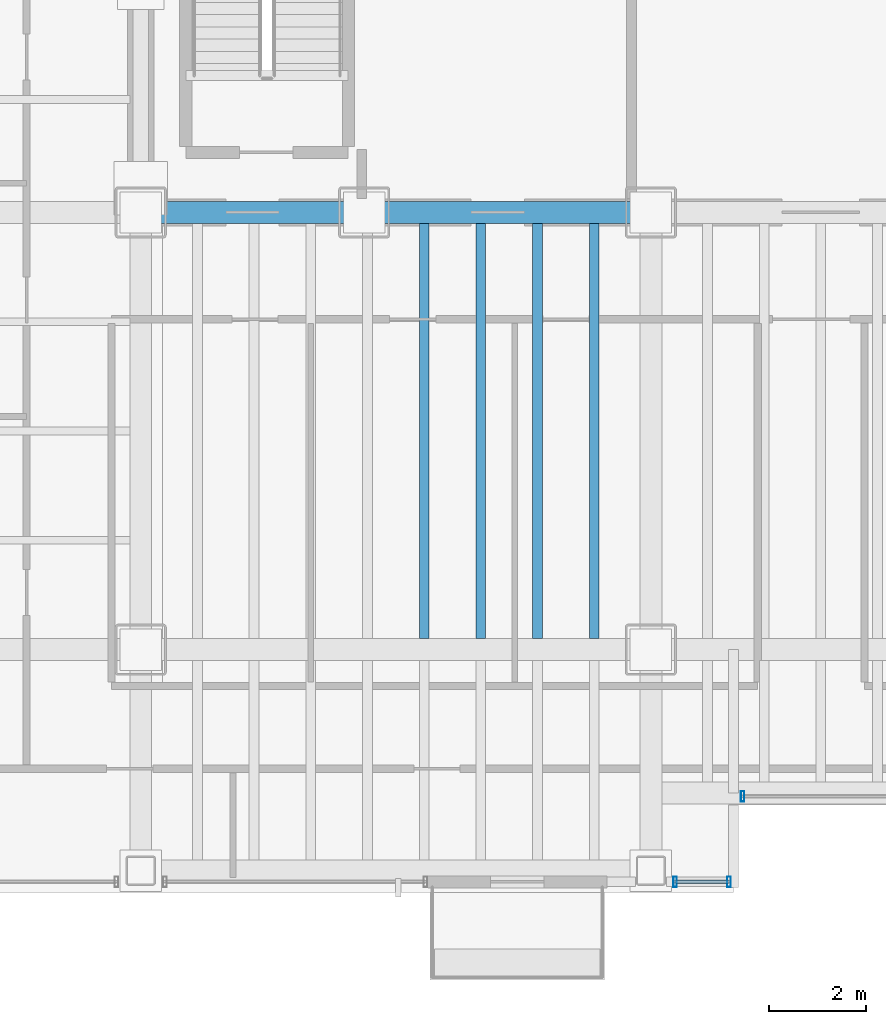
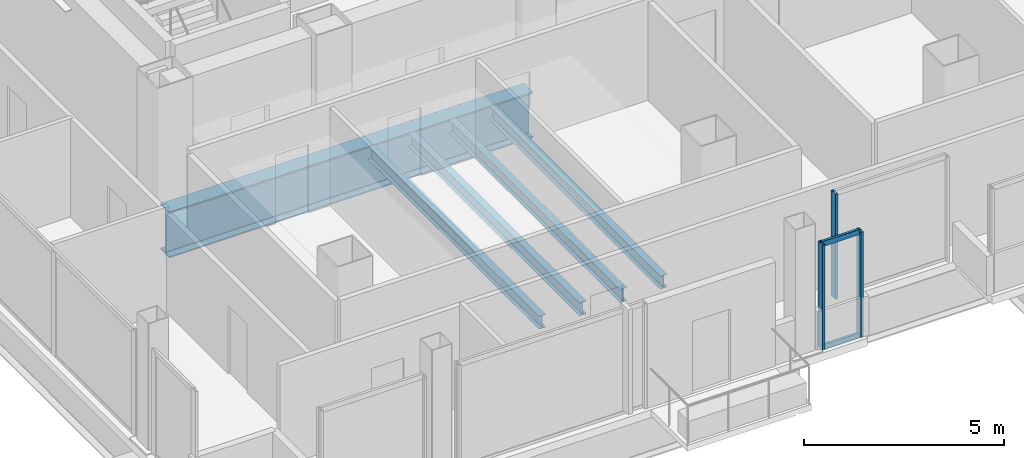
# One storey, part 5 of 23: 5 beams, 5 members, 2 elements without a shape of their own.
"""IFC4 building model written with IfcOpenShell, lengths in metres."""

import ifcopenshell
import ifcopenshell.guid

model = None  # the IFC model being written
_history = None  # IfcOwnerHistory: only IFC2X3 demands one
_inside = {}  # id of a spatial element -> (the spatial element, [elements in it])
_under = {}  # id of a project, library or spatial element -> (it, [spatial elements below it])
_declared = {}  # id of a project -> (the project, [libraries it declares])
_typed = {}  # id of a type object -> (the type object, [elements of that type])
_made_of = {}  # id of a material, layer set ... -> (it, [elements and type objects made of it])


def new_model(schema):
    """Start an empty IFC model of exactly this schema.

    Asked for "IFC4X3", IfcOpenShell would pick the latest addendum, in which some entities
    have other attributes; the version numbers below select the first issue.
    IFC2X3 requires an IfcOwnerHistory on every rooted entity: one is made here for all.
    """
    global model, _history
    if schema == "IFC4X3":
        model = ifcopenshell.file(schema_version=(4, 3, 0, 0))
    else:
        model = ifcopenshell.file(schema=schema)
    _inside.clear()
    _under.clear()
    _declared.clear()
    _typed.clear()
    _made_of.clear()
    _history = None
    if model.schema == "IFC2X3":
        org = make("IfcOrganization", Name="unknown")
        user = make(
            "IfcPersonAndOrganization",
            ThePerson=make("IfcPerson", FamilyName="unknown"),
            TheOrganization=org,
        )
        app = make(
            "IfcApplication",
            ApplicationDeveloper=org,
            Version="unknown",
            ApplicationFullName="unknown",
            ApplicationIdentifier="unknown",
        )
        _history = make(
            "IfcOwnerHistory",
            OwningUser=user,
            OwningApplication=app,
            ChangeAction="ADDED",
            CreationDate=0,
        )
    return model


def make(cls, **values):
    """One entity of the class cls with the attributes given. An attribute that is None is left unset."""
    return model.create_entity(
        cls, **{name: value for name, value in values.items() if value is not None}
    )


def rooted(cls, **values):
    """An entity with a GlobalId (a new one), such as an element, a storey or a relation."""
    return make(cls, GlobalId=ifcopenshell.guid.new(), OwnerHistory=_history, **values)


def si_unit(unit_type, name, prefix=None):
    """IfcSIUnit, for example si_unit("LENGTHUNIT", "METRE", prefix="MILLI")."""
    return make("IfcSIUnit", UnitType=unit_type, Prefix=prefix, Name=name)


def assignment(units):
    """IfcUnitAssignment: the units of a project."""
    return None if units is None else make("IfcUnitAssignment", Units=units)


def point(xyz):
    """IfcCartesianPoint."""
    return None if xyz is None else make("IfcCartesianPoint", Coordinates=xyz)


def direction(xyz):
    """IfcDirection."""
    return None if xyz is None else make("IfcDirection", DirectionRatios=xyz)


def frame(location, z_axis=None, x_axis=None):
    """IfcAxis2Placement3D, a coordinate frame: its origin and axes. An axis left out is left unset."""
    return make(
        "IfcAxis2Placement3D",
        Location=point(location),
        Axis=direction(z_axis),
        RefDirection=direction(x_axis),
    )


def frame_2d(location, x_axis=None):
    """IfcAxis2Placement2D, a coordinate frame in the plane: its origin and x axis."""
    return make(
        "IfcAxis2Placement2D", Location=point(location), RefDirection=direction(x_axis)
    )


def origin():
    """The frame at (0, 0, 0) with its axes left unset."""
    return frame((0.0, 0.0, 0.0))


def origin_2d():
    """The frame at (0, 0) in the plane with its x axis left unset."""
    return frame_2d((0.0, 0.0))


def place(relative_to, where):
    """IfcLocalPlacement: puts the frame where relative to a parent placement (None: the world)."""
    return make(
        "IfcLocalPlacement", PlacementRelTo=relative_to, RelativePlacement=where
    )


def context(
    kind, dimensions, precision=None, world=None, true_north=None, identifier=None
):
    """IfcGeometricRepresentationContext, for example the 3D "Model" context."""
    return make(
        "IfcGeometricRepresentationContext",
        ContextIdentifier=identifier,
        ContextType=kind,
        CoordinateSpaceDimension=dimensions,
        Precision=precision,
        WorldCoordinateSystem=world,
        TrueNorth=true_north,
    )


def subcontext(parent, identifier, kind, view, scale=None):
    """IfcGeometricRepresentationSubContext, for example "Body" below "Model"."""
    return make(
        "IfcGeometricRepresentationSubContext",
        ContextIdentifier=identifier,
        ContextType=kind,
        ParentContext=parent,
        TargetScale=scale,
        TargetView=view,
    )


def project(units=None, contexts=None):
    """IfcProject with its units and contexts."""
    return rooted(
        "IfcProject",
        Name="project",
        RepresentationContexts=contexts,
        UnitsInContext=assignment(units),
    )


def spatial(cls, under=None, at=None, **own):
    """A site, building, storey or space (cls), placed at a placement, below another one or the project."""
    s = rooted(cls, ObjectPlacement=at, **own)
    if under is not None:
        _under.setdefault(under.id(), (under, []))[1].append(s)
    return s


def profile(cls, at=None, kind="AREA", **sizes):
    """A parametric profile (cls). Its sizes go by their IFC names, for example OverallWidth=200.0."""
    return make(cls, ProfileType=kind, Position=at, **sizes)


def hollow_rectangle(**sizes):
    """IfcRectangleHollowProfileDef."""
    return profile("IfcRectangleHollowProfileDef", **sizes)


def i_section(**sizes):
    """IfcIShapeProfileDef."""
    return profile("IfcIShapeProfileDef", **sizes)


def extrude(swept, where, along, depth):
    """IfcExtrudedAreaSolid: the profile swept, set in the frame where, extruded along a direction by depth."""
    return make(
        "IfcExtrudedAreaSolid",
        SweptArea=swept,
        Position=where,
        ExtrudedDirection=direction(along),
        Depth=depth,
    )


def shape(context_of_items, identifier, shape_type, items):
    """IfcShapeRepresentation: the items that make up one representation, for example the "Body"."""
    return make(
        "IfcShapeRepresentation",
        ContextOfItems=context_of_items,
        RepresentationIdentifier=identifier,
        RepresentationType=shape_type,
        Items=items,
    )


def material(Name=None, Category=None):
    """IfcMaterial."""
    return make("IfcMaterial", Name=Name, Category=Category)


def material_profile(
    of_material, cross_section, Name=None, Category=None, Priority=None
):
    """IfcMaterialProfile: a cross section and its material."""
    return make(
        "IfcMaterialProfile",
        Name=Name,
        Material=of_material,
        Profile=cross_section,
        Priority=Priority,
        Category=Category,
    )


def profile_set(profiles, Name=None, composite=None):
    """IfcMaterialProfileSet."""
    return make(
        "IfcMaterialProfileSet",
        Name=Name,
        MaterialProfiles=profiles,
        CompositeProfile=composite,
    )


def made_of(thing, what):
    """Note that an element or type object is made of a material, layer set ...; save() writes the relation."""
    if what is not None:
        _made_of.setdefault(what.id(), (what, []))[1].append(thing)
    return thing


def type_object(cls, material=None, **own):
    """A type object (cls), such as IfcWallType, which elements share."""
    return made_of(rooted(cls, **own), material)


def element(
    cls,
    number,
    at=None,
    inside=None,
    cuts=None,
    type_object=None,
    material=None,
    context=None,
    identifier="Body",
    shape_type=None,
    held_by="IfcProductDefinitionShape",
    body=None,
    shapes=None,
    **own,
):
    """One element of the class cls, such as IfcWall. Its Tag is "e" and its number.

    at: its placement. inside: the storey or other place that contains it. cuts: it is an
    opening in that element (IfcRelVoidsElement). A single representation is given by context,
    identifier, shape_type and body (its items); several are given by shapes. held_by: the class
    of the entity that holds the representations. save() writes the other relations.
    """
    e = rooted(cls, Tag="e%d" % number, ObjectPlacement=at, **own)
    if body is not None:
        shapes = [shape(context, identifier, shape_type, body)]
    if shapes is not None:
        e.Representation = make(held_by, Representations=shapes)
    if inside is not None:
        _inside.setdefault(inside.id(), (inside, []))[1].append(e)
    if cuts is not None:
        rooted(
            "IfcRelVoidsElement", RelatingBuildingElement=cuts, RelatedOpeningElement=e
        )
    if type_object is not None:
        _typed.setdefault(type_object.id(), (type_object, []))[1].append(e)
    return made_of(e, material)


def aggregate(whole, parts):
    """IfcRelAggregates: a whole, such as a stair, and the parts it consists of."""
    return rooted("IfcRelAggregates", RelatingObject=whole, RelatedObjects=parts)


def save(model, path):
    """Write the relations noted so far, then the file.

    IfcRelAggregates (storeys below a building ...), IfcRelContainedInSpatialStructure (elements
    in a storey), IfcRelDefinesByType, IfcRelAssociatesMaterial and IfcRelDeclares: one each for
    every whole, place, type object, material and project.
    """
    for whole, parts in _under.values():
        aggregate(whole, parts)
    for where, things in _inside.values():
        rooted(
            "IfcRelContainedInSpatialStructure",
            RelatedElements=things,
            RelatingStructure=where,
        )
    for kind, things in _typed.values():
        rooted("IfcRelDefinesByType", RelatedObjects=things, RelatingType=kind)
    for what, things in _made_of.values():
        rooted("IfcRelAssociatesMaterial", RelatedObjects=things, RelatingMaterial=what)
    for by, libraries in _declared.values():
        rooted("IfcRelDeclares", RelatingContext=by, RelatedDefinitions=libraries)
    model.write(path)


model = new_model("IFC4")

# Units and contexts
model_context = context("Model", 3, precision=1e-05, world=origin(), true_north=direction((0.0, 1.0)))
body_context = subcontext(model_context, "Body", "Model", "MODEL_VIEW")
ifc_project = project(units=[si_unit("LENGTHUNIT", "METRE"), si_unit("AREAUNIT", "SQUARE_METRE"), si_unit("VOLUMEUNIT", "CUBIC_METRE"), si_unit("PLANEANGLEUNIT", "RADIAN"), si_unit("MASSUNIT", "GRAM", prefix="KILO")], contexts=[model_context])

# Site, building, storey
site_placement = place(None, origin())
site = spatial("IfcSite", under=ifc_project, at=site_placement, CompositionType="ELEMENT")
building_placement = place(site_placement, origin())
building = spatial("IfcBuilding", under=site, at=building_placement, Name="Noeulbin Bourse Tower", CompositionType="ELEMENT")
storey_placement = place(building_placement, frame((0.0, 0.0, 53.800048828125)))
storey = spatial("IfcBuildingStorey", under=building, at=storey_placement, Name="L13", CompositionType="ELEMENT", Elevation=53.800048828125)

# Beams
ifc_material_1 = material(Name="Steel S355", Category="steel")
ifc_material_profile_1 = material_profile(ifc_material_1, i_section(OverallWidth=0.199951171875, OverallDepth=0.39990234375, WebThickness=0.008056640625, FlangeThickness=0.012939453125, FilletRadius=0.01611328125, at=origin_2d()), Name="H-400x200x8x13", Category="LoadBearing")
ifc_profile_set_1 = profile_set([ifc_material_profile_1], Name="Steel S355")
beam_type_1 = type_object("IfcBeamType", Name="BM-SEC-400", PredefinedType="BEAM", material=ifc_profile_set_1)
for number, where, z_axis, x_axis, name in (
    (1, (19.333251953125, 20.22509765625, -0.43994140625), (0.0, 1.0, 0.0), (-1.0, 0.0, 0.0), "Tower Composite Joist L13-14"),
    (2, (20.5, 20.22509765625, -0.43994140625), (0.0, 1.0, 0.0), (-1.0, 0.0, 0.0), "Tower Composite Joist L13-17"),
    (3, (21.666748046875, 20.22509765625, -0.43994140625), (0.0, 1.0, 0.0), (-1.0, 0.0, 0.0), "Tower Composite Joist L13-20"),
    (4, (22.833251953125, 20.22509765625, -0.43994140625), (0.0, 1.0, 0.0), (-1.0, 0.0, 0.0), "Tower Composite Joist L13-23"),
):
    element("IfcBeam", number, at=place(storey_placement, frame(where, z_axis=z_axis, x_axis=x_axis)), inside=storey, type_object=beam_type_1, Name=name, PredefinedType="BEAM", context=body_context, shape_type="SweptSolid", body=[
        extrude(i_section(OverallWidth=0.199951171875, OverallDepth=0.39990234375, WebThickness=0.008056640625, FlangeThickness=0.012939453125, FilletRadius=0.01611328125, at=origin_2d()), origin(), (0.0, 0.0, 1.0), 8.5498046875),
    ])
ifc_material_2 = material(Name="Steel S460", Category="steel")
ifc_material_profile_2 = material_profile(ifc_material_2, i_section(OverallWidth=0.449951171875, OverallDepth=1.39990234375, WebThickness=0.02392578125, FlangeThickness=0.0400390625, FilletRadius=0.02392578125, at=origin_2d()), Name="PG-1400x450x24x40", Category="LoadBearing")
ifc_profile_set_2 = profile_set([ifc_material_profile_2], Name="Steel S460")
beam_type_2 = type_object("IfcBeamType", Name="BM-TRF-1400", PredefinedType="USERDEFINED", material=ifc_profile_set_2)
beam_placement = place(storey_placement, frame((13.5, 29.0, -0.93994140625), z_axis=(1.0, 0.0, 0.0), x_axis=(0.0, 1.0, 0.0)))
element("IfcBeam", 5, at=beam_placement, inside=storey, type_object=beam_type_2, Name="Tower Primary Girder EW L13-2.2", ObjectType="GIRDER", PredefinedType="USERDEFINED", context=body_context, shape_type="SweptSolid", body=[
    extrude(i_section(OverallWidth=0.449951171875, OverallDepth=1.39990234375, WebThickness=0.02392578125, FlangeThickness=0.0400390625, FilletRadius=0.02392578125, at=origin_2d()), origin(), (0.0, 0.0, 1.0), 10.5),
])

# Curtain wall, member
ifc_material_3 = material(Name="Dark Solar-Control Double Glazing", Category="glass")
curtain_wall_type = type_object("IfcCurtainWallType", Name="CW-SYS-2", PredefinedType="NOTDEFINED", material=ifc_material_3)
curtain_wall_1_placement = place(storey_placement, origin())
curtain_wall_1 = element("IfcCurtainWall", 6, at=curtain_wall_1_placement, inside=storey, type_object=curtain_wall_type, Name="Unitised Curtain Wall CW-L13-SREC", PredefinedType="NOTDEFINED")
ifc_material_4 = material(Name="Anodised Aluminium 6063-T6", Category="aluminium")
ifc_material_profile_3 = material_profile(ifc_material_4, hollow_rectangle(XDim=0.074951171875, YDim=0.219970703125, WallThickness=0.0048828125, InnerFilletRadius=0.00244140625, OuterFilletRadius=0.0048828125, at=origin_2d()), Name="ALU-MULL-75x220x5", Category="LoadBearing")
ifc_profile_set_3 = profile_set([ifc_material_profile_3], Name="Anodised Aluminium 6063-T6")
member_type_1 = type_object("IfcMemberType", Name="CW-SYS-2-MUL", PredefinedType="MULLION", material=ifc_profile_set_3)
member_1_placement = place(storey_placement, frame((25.889892578125, 16.97998046875, -0.02001953125), z_axis=(0.0, 0.0, 1.0), x_axis=(1.0, 0.0, 0.0)))
member_1 = element("IfcMember", 7, at=member_1_placement, type_object=member_type_1, Name="Curtain Wall Mullion CW-L13-SREC-M00", PredefinedType="MULLION", context=body_context, shape_type="SweptSolid", body=[
    extrude(hollow_rectangle(XDim=0.074951171875, YDim=0.219970703125, WallThickness=0.0048828125, InnerFilletRadius=0.00244140625, OuterFilletRadius=0.0048828125, at=origin_2d()), origin(), (0.0, 0.0, 1.0), 3.219970703125),
])
aggregate(curtain_wall_1, [member_1])

# Curtain wall, members
curtain_wall_2_placement = place(storey_placement, origin())
curtain_wall_2 = element("IfcCurtainWall", 8, at=curtain_wall_2_placement, inside=storey, type_object=curtain_wall_type, Name="Unitised Curtain Wall CW-L13-S2", PredefinedType="NOTDEFINED")
member_2_placement = place(storey_placement, frame((24.5, 15.219970703125, -0.02001953125), z_axis=(0.0, 0.0, 1.0), x_axis=(1.0, 0.0, 0.0)))
member_2 = element("IfcMember", 9, at=member_2_placement, type_object=member_type_1, Name="Curtain Wall Mullion CW-L13-S2-M00", PredefinedType="MULLION", context=body_context, shape_type="SweptSolid", body=[
    extrude(hollow_rectangle(XDim=0.074951171875, YDim=0.219970703125, WallThickness=0.0048828125, InnerFilletRadius=0.00244140625, OuterFilletRadius=0.0048828125, at=origin_2d()), origin(), (0.0, 0.0, 1.0), 3.219970703125),
])
member_3_placement = place(storey_placement, frame((25.610107421875, 15.219970703125, -0.02001953125), z_axis=(0.0, 0.0, 1.0), x_axis=(1.0, 0.0, 0.0)))
member_3 = element("IfcMember", 10, at=member_3_placement, type_object=member_type_1, Name="Curtain Wall Mullion CW-L13-S2-M01", PredefinedType="MULLION", context=body_context, shape_type="SweptSolid", body=[
    extrude(hollow_rectangle(XDim=0.074951171875, YDim=0.219970703125, WallThickness=0.0048828125, InnerFilletRadius=0.00244140625, OuterFilletRadius=0.0048828125, at=origin_2d()), origin(), (0.0, 0.0, 1.0), 3.219970703125),
])
ifc_material_profile_4 = material_profile(ifc_material_4, hollow_rectangle(XDim=0.074951171875, YDim=0.159912109375, WallThickness=0.0048828125, InnerFilletRadius=0.00244140625, OuterFilletRadius=0.0048828125, at=origin_2d()), Name="ALU-TRAN-75x160x5", Category="LoadBearing")
ifc_profile_set_4 = profile_set([ifc_material_profile_4], Name="Anodised Aluminium 6063-T6")
member_type_2 = type_object("IfcMemberType", Name="CW-SYS-2-TRN", PredefinedType="USERDEFINED", material=ifc_profile_set_4)
member_4_placement = place(storey_placement, frame((24.510009765625, 15.219970703125, 0.010009765625), z_axis=(1.0, 0.0, 0.0), x_axis=(0.0, 1.0, 0.0)))
member_4 = element("IfcMember", 11, at=member_4_placement, type_object=member_type_2, Name="Curtain Wall Transom CW-L13-S2-T00", ObjectType="TRANSOM", PredefinedType="USERDEFINED", context=body_context, shape_type="SweptSolid", body=[
    extrude(hollow_rectangle(XDim=0.074951171875, YDim=0.159912109375, WallThickness=0.0048828125, InnerFilletRadius=0.00244140625, OuterFilletRadius=0.0048828125, at=origin_2d()), origin(), (0.0, 0.0, 1.0), 1.090087890625),
])
member_5_placement = place(storey_placement, frame((24.510009765625, 15.219970703125, 3.169921875), z_axis=(1.0, 0.0, 0.0), x_axis=(0.0, 1.0, 0.0)))
member_5 = element("IfcMember", 12, at=member_5_placement, type_object=member_type_2, Name="Curtain Wall Transom CW-L13-S2-T01", ObjectType="TRANSOM", PredefinedType="USERDEFINED", context=body_context, shape_type="SweptSolid", body=[
    extrude(hollow_rectangle(XDim=0.074951171875, YDim=0.159912109375, WallThickness=0.0048828125, InnerFilletRadius=0.00244140625, OuterFilletRadius=0.0048828125, at=origin_2d()), origin(), (0.0, 0.0, 1.0), 1.090087890625),
])
aggregate(curtain_wall_2, [member_2, member_3, member_4, member_5])

save(model, "model.ifc")
